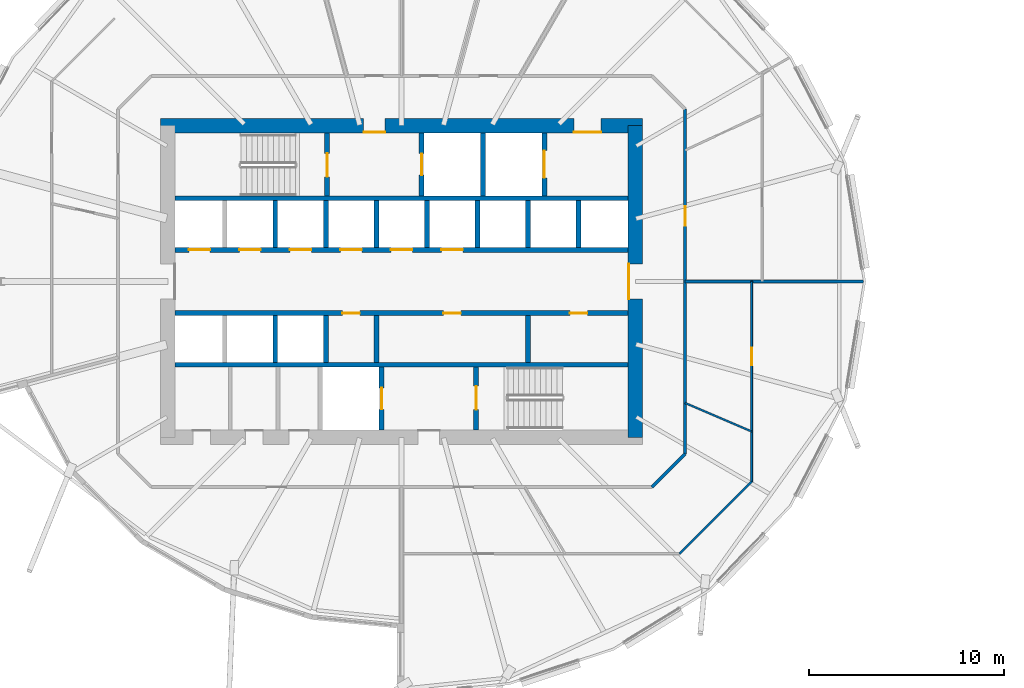
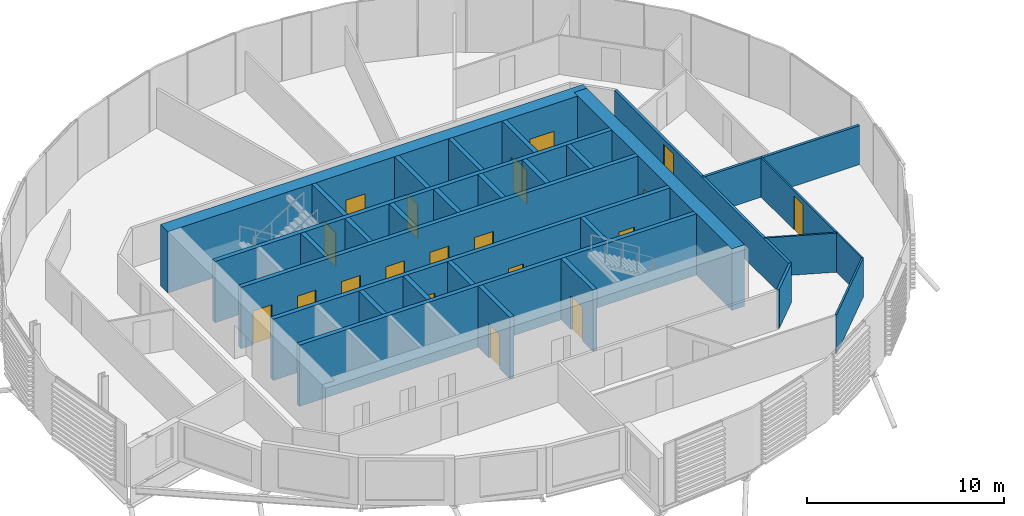
# One storey, part 22 of 40: 29 walls, 19 doors, 19 openings.
"""IFC4 building model written with IfcOpenShell, lengths in metres."""

import ifcopenshell
import ifcopenshell.guid

model = None  # the IFC model being written
_history = None  # IfcOwnerHistory: only IFC2X3 demands one
_inside = {}  # id of a spatial element -> (the spatial element, [elements in it])
_under = {}  # id of a project, library or spatial element -> (it, [spatial elements below it])
_declared = {}  # id of a project -> (the project, [libraries it declares])
_typed = {}  # id of a type object -> (the type object, [elements of that type])
_made_of = {}  # id of a material, layer set ... -> (it, [elements and type objects made of it])


def new_model(schema):
    """Start an empty IFC model of exactly this schema.

    Asked for "IFC4X3", IfcOpenShell would pick the latest addendum, in which some entities
    have other attributes; the version numbers below select the first issue.
    IFC2X3 requires an IfcOwnerHistory on every rooted entity: one is made here for all.
    """
    global model, _history
    if schema == "IFC4X3":
        model = ifcopenshell.file(schema_version=(4, 3, 0, 0))
    else:
        model = ifcopenshell.file(schema=schema)
    _inside.clear()
    _under.clear()
    _declared.clear()
    _typed.clear()
    _made_of.clear()
    _history = None
    if model.schema == "IFC2X3":
        org = make("IfcOrganization", Name="unknown")
        user = make(
            "IfcPersonAndOrganization",
            ThePerson=make("IfcPerson", FamilyName="unknown"),
            TheOrganization=org,
        )
        app = make(
            "IfcApplication",
            ApplicationDeveloper=org,
            Version="unknown",
            ApplicationFullName="unknown",
            ApplicationIdentifier="unknown",
        )
        _history = make(
            "IfcOwnerHistory",
            OwningUser=user,
            OwningApplication=app,
            ChangeAction="ADDED",
            CreationDate=0,
        )
    return model


def make(cls, **values):
    """One entity of the class cls with the attributes given. An attribute that is None is left unset."""
    return model.create_entity(
        cls, **{name: value for name, value in values.items() if value is not None}
    )


def rooted(cls, **values):
    """An entity with a GlobalId (a new one), such as an element, a storey or a relation."""
    return make(cls, GlobalId=ifcopenshell.guid.new(), OwnerHistory=_history, **values)


def si_unit(unit_type, name, prefix=None):
    """IfcSIUnit, for example si_unit("LENGTHUNIT", "METRE", prefix="MILLI")."""
    return make("IfcSIUnit", UnitType=unit_type, Prefix=prefix, Name=name)


def assignment(units):
    """IfcUnitAssignment: the units of a project."""
    return None if units is None else make("IfcUnitAssignment", Units=units)


def point(xyz):
    """IfcCartesianPoint."""
    return None if xyz is None else make("IfcCartesianPoint", Coordinates=xyz)


def direction(xyz):
    """IfcDirection."""
    return None if xyz is None else make("IfcDirection", DirectionRatios=xyz)


def frame(location, z_axis=None, x_axis=None):
    """IfcAxis2Placement3D, a coordinate frame: its origin and axes. An axis left out is left unset."""
    return make(
        "IfcAxis2Placement3D",
        Location=point(location),
        Axis=direction(z_axis),
        RefDirection=direction(x_axis),
    )


def frame_2d(location, x_axis=None):
    """IfcAxis2Placement2D, a coordinate frame in the plane: its origin and x axis."""
    return make(
        "IfcAxis2Placement2D", Location=point(location), RefDirection=direction(x_axis)
    )


def origin():
    """The frame at (0, 0, 0) with its axes left unset."""
    return frame((0.0, 0.0, 0.0))


def place(relative_to, where):
    """IfcLocalPlacement: puts the frame where relative to a parent placement (None: the world)."""
    return make(
        "IfcLocalPlacement", PlacementRelTo=relative_to, RelativePlacement=where
    )


def context(
    kind, dimensions, precision=None, world=None, true_north=None, identifier=None
):
    """IfcGeometricRepresentationContext, for example the 3D "Model" context."""
    return make(
        "IfcGeometricRepresentationContext",
        ContextIdentifier=identifier,
        ContextType=kind,
        CoordinateSpaceDimension=dimensions,
        Precision=precision,
        WorldCoordinateSystem=world,
        TrueNorth=true_north,
    )


def subcontext(parent, identifier, kind, view, scale=None):
    """IfcGeometricRepresentationSubContext, for example "Body" below "Model"."""
    return make(
        "IfcGeometricRepresentationSubContext",
        ContextIdentifier=identifier,
        ContextType=kind,
        ParentContext=parent,
        TargetScale=scale,
        TargetView=view,
    )


def project(units=None, contexts=None):
    """IfcProject with its units and contexts."""
    return rooted(
        "IfcProject",
        Name="project",
        RepresentationContexts=contexts,
        UnitsInContext=assignment(units),
    )


def spatial(cls, under=None, at=None, **own):
    """A site, building, storey or space (cls), placed at a placement, below another one or the project."""
    s = rooted(cls, ObjectPlacement=at, **own)
    if under is not None:
        _under.setdefault(under.id(), (under, []))[1].append(s)
    return s


def profile(cls, at=None, kind="AREA", **sizes):
    """A parametric profile (cls). Its sizes go by their IFC names, for example OverallWidth=200.0."""
    return make(cls, ProfileType=kind, Position=at, **sizes)


def rectangle(**sizes):
    """IfcRectangleProfileDef."""
    return profile("IfcRectangleProfileDef", **sizes)


def extrude(swept, where, along, depth):
    """IfcExtrudedAreaSolid: the profile swept, set in the frame where, extruded along a direction by depth."""
    return make(
        "IfcExtrudedAreaSolid",
        SweptArea=swept,
        Position=where,
        ExtrudedDirection=direction(along),
        Depth=depth,
    )


def shape(context_of_items, identifier, shape_type, items):
    """IfcShapeRepresentation: the items that make up one representation, for example the "Body"."""
    return make(
        "IfcShapeRepresentation",
        ContextOfItems=context_of_items,
        RepresentationIdentifier=identifier,
        RepresentationType=shape_type,
        Items=items,
    )


def material(Name=None, Category=None):
    """IfcMaterial."""
    return make("IfcMaterial", Name=Name, Category=Category)


def layer(
    of_material, thickness, ventilated=None, Name=None, Category=None, Priority=None
):
    """IfcMaterialLayer: one layer of a wall or slab, of a material (None: an air gap)."""
    return make(
        "IfcMaterialLayer",
        Material=of_material,
        LayerThickness=thickness,
        IsVentilated=ventilated,
        Name=Name,
        Category=Category,
        Priority=Priority,
    )


def layer_set(layers, Name=None):
    """IfcMaterialLayerSet."""
    return make("IfcMaterialLayerSet", MaterialLayers=layers, LayerSetName=Name)


def made_of(thing, what):
    """Note that an element or type object is made of a material, layer set ...; save() writes the relation."""
    if what is not None:
        _made_of.setdefault(what.id(), (what, []))[1].append(thing)
    return thing


def type_object(cls, material=None, **own):
    """A type object (cls), such as IfcWallType, which elements share."""
    return made_of(rooted(cls, **own), material)


def element(
    cls,
    number,
    at=None,
    inside=None,
    cuts=None,
    type_object=None,
    material=None,
    context=None,
    identifier="Body",
    shape_type=None,
    held_by="IfcProductDefinitionShape",
    body=None,
    shapes=None,
    **own,
):
    """One element of the class cls, such as IfcWall. Its Tag is "e" and its number.

    at: its placement. inside: the storey or other place that contains it. cuts: it is an
    opening in that element (IfcRelVoidsElement). A single representation is given by context,
    identifier, shape_type and body (its items); several are given by shapes. held_by: the class
    of the entity that holds the representations. save() writes the other relations.
    """
    e = rooted(cls, Tag="e%d" % number, ObjectPlacement=at, **own)
    if body is not None:
        shapes = [shape(context, identifier, shape_type, body)]
    if shapes is not None:
        e.Representation = make(held_by, Representations=shapes)
    if inside is not None:
        _inside.setdefault(inside.id(), (inside, []))[1].append(e)
    if cuts is not None:
        rooted(
            "IfcRelVoidsElement", RelatingBuildingElement=cuts, RelatedOpeningElement=e
        )
    if type_object is not None:
        _typed.setdefault(type_object.id(), (type_object, []))[1].append(e)
    return made_of(e, material)


def fill(opening, filler):
    """IfcRelFillsElement: the door or window that sits in an opening."""
    return rooted(
        "IfcRelFillsElement",
        RelatingOpeningElement=opening,
        RelatedBuildingElement=filler,
    )


def aggregate(whole, parts):
    """IfcRelAggregates: a whole, such as a stair, and the parts it consists of."""
    return rooted("IfcRelAggregates", RelatingObject=whole, RelatedObjects=parts)


def save(model, path):
    """Write the relations noted so far, then the file.

    IfcRelAggregates (storeys below a building ...), IfcRelContainedInSpatialStructure (elements
    in a storey), IfcRelDefinesByType, IfcRelAssociatesMaterial and IfcRelDeclares: one each for
    every whole, place, type object, material and project.
    """
    for whole, parts in _under.values():
        aggregate(whole, parts)
    for where, things in _inside.values():
        rooted(
            "IfcRelContainedInSpatialStructure",
            RelatedElements=things,
            RelatingStructure=where,
        )
    for kind, things in _typed.values():
        rooted("IfcRelDefinesByType", RelatedObjects=things, RelatingType=kind)
    for what, things in _made_of.values():
        rooted("IfcRelAssociatesMaterial", RelatedObjects=things, RelatingMaterial=what)
    for by, libraries in _declared.values():
        rooted("IfcRelDeclares", RelatingContext=by, RelatedDefinitions=libraries)
    model.write(path)


model = new_model("IFC4")

# Units and contexts
model_context = context("Model", 3, precision=1e-05, world=origin(), true_north=direction((0.0, 1.0)))
body_context = subcontext(model_context, "Body", "Model", "MODEL_VIEW")
ifc_project = project(units=[si_unit("LENGTHUNIT", "METRE"), si_unit("AREAUNIT", "SQUARE_METRE"), si_unit("VOLUMEUNIT", "CUBIC_METRE"), si_unit("PLANEANGLEUNIT", "RADIAN"), si_unit("MASSUNIT", "GRAM", prefix="KILO")], contexts=[model_context])

# Site, building, storey
site_placement = place(None, origin())
site = spatial("IfcSite", under=ifc_project, at=site_placement, CompositionType="ELEMENT")
building_placement = place(site_placement, origin())
building = spatial("IfcBuilding", under=site, at=building_placement, Name="Rimbun Link Towers", CompositionType="ELEMENT")
storey_placement = place(building_placement, frame((0.0, 0.0, 89.199951171875)))
storey = spatial("IfcBuildingStorey", under=building, at=storey_placement, Name="L21", CompositionType="ELEMENT", Elevation=89.199951171875)

# Wall, openings, doors
ifc_material_1 = material(Name="Concrete C60/75", Category="concrete")
ifc_layer_1 = layer(ifc_material_1, 0.75)
ifc_layer_set_1 = layer_set([ifc_layer_1], Name="Core shear wall 750")
wall_type_1 = type_object("IfcWallType", Name="Core shear wall 750", PredefinedType="SHEAR", material=ifc_layer_set_1)
wall_1_placement = place(storey_placement, frame((-44.125, 8.0, 0.0), z_axis=(0.0, 0.0, 1.0), x_axis=(1.0, 0.0, 0.0)))
wall_1 = element("IfcWall", 1, at=wall_1_placement, inside=storey, type_object=wall_type_1, Name="L21 T1 core wall N", PredefinedType="SHEAR", context=body_context, shape_type="SweptSolid", body=[
    extrude(rectangle(XDim=24.75, YDim=0.75, at=frame_2d((12.375, 0.0))), origin(), (0.0, 0.0, 1.0), 3.800048828125),
])
opening_1_placement = place(wall_1_placement, frame((10.425048828125, 0.0, 0.0)))
opening_1 = element("IfcOpeningElement", 2, at=opening_1_placement, cuts=wall_1, Name="Opening C1DCF01N", PredefinedType="OPENING", context=body_context, shape_type="SweptSolid", body=[
    extrude(rectangle(XDim=1.10009765625, YDim=2.10009765625, at=frame_2d((0.550048828125, 1.050048828125))), frame((0.0, 0.385009765625, 0.0), z_axis=(0.0, -1.0, 0.0), x_axis=(1.0, 0.0, 0.0)), (0.0, 0.0, 1.0), 0.77001953125),
])
opening_2_placement = place(wall_1_placement, frame((21.21240234375, 0.0, 0.0)))
opening_2 = element("IfcOpeningElement", 3, at=opening_2_placement, cuts=wall_1, Name="Opening C1DSL02N", PredefinedType="OPENING", context=body_context, shape_type="SweptSolid", body=[
    extrude(rectangle(XDim=1.39990234375, YDim=2.10009765625, at=frame_2d((0.699951171875, 1.050048828125))), frame((0.0, 0.385009765625, 0.0), z_axis=(0.0, -1.0, 0.0), x_axis=(1.0, 0.0, 0.0)), (0.0, 0.0, 1.0), 0.77001953125),
])
ifc_material_2 = material(Name="Steel fire door set", Category="steel")
door_type_1 = type_object("IfcDoorType", Name="Core fire door single", OperationType="SINGLE_SWING_LEFT", PredefinedType="DOOR", material=ifc_material_2)
door_1_placement = place(opening_1_placement, origin())
door_1 = element("IfcDoor", 4, at=door_1_placement, inside=storey, type_object=door_type_1, Name="L21 T1 firefighting lobby n door", OperationType="SINGLE_SWING_LEFT", OverallHeight=2.10009765625, OverallWidth=1.10009765625, PredefinedType="DOOR", context=body_context, shape_type="SweptSolid", body=[
    extrude(rectangle(XDim=1.10009765625, YDim=2.10009765625, at=frame_2d((0.550048828125, 1.050048828125))), frame((0.0, -0.3251953125, 0.0), z_axis=(0.0, -1.0, 0.0), x_axis=(1.0, 0.0, 0.0)), (0.0, 0.0, 1.0), 0.050048828125),
])
fill(opening_1, door_1)
ifc_material_3 = material(Name="Steel fire door set", Category="steel")
door_type_2 = type_object("IfcDoorType", Name="Service lobby door double", OperationType="DOUBLE_DOOR_SINGLE_SWING", PredefinedType="DOOR", material=ifc_material_3)
door_2_placement = place(opening_2_placement, origin())
door_2 = element("IfcDoor", 5, at=door_2_placement, inside=storey, type_object=door_type_2, Name="L21 T1 service lobby door", OperationType="DOUBLE_DOOR_SINGLE_SWING", OverallHeight=2.10009765625, OverallWidth=1.39990234375, PredefinedType="DOOR", context=body_context, shape_type="SweptSolid", body=[
    extrude(rectangle(XDim=1.39990234375, YDim=2.10009765625, at=frame_2d((0.699951171875, 1.050048828125))), frame((0.0, -0.3251953125, 0.0), z_axis=(0.0, -1.0, 0.0), x_axis=(1.0, 0.0, 0.0)), (0.0, 0.0, 1.0), 0.050048828125),
])
fill(opening_2, door_2)

# Wall, opening, door
wall_2_placement = place(storey_placement, frame((-19.75, -8.0, 0.0), z_axis=(0.0, 0.0, 1.0), x_axis=(0.0, 1.0, 0.0)))
wall_2 = element("IfcWall", 6, at=wall_2_placement, inside=storey, type_object=wall_type_1, Name="L21 T1 core wall E", PredefinedType="SHEAR", context=body_context, shape_type="SweptSolid", body=[
    extrude(rectangle(XDim=16.0, YDim=0.75, at=frame_2d((8.0, 0.0))), origin(), (0.0, 0.0, 1.0), 3.800048828125),
])
opening_3_placement = place(wall_2_placement, frame((7.10009765625, 0.0, 0.0)))
opening_3 = element("IfcOpeningElement", 7, at=opening_3_placement, cuts=wall_2, Name="Opening C1DCL01E", PredefinedType="OPENING", context=body_context, shape_type="SweptSolid", body=[
    extrude(rectangle(XDim=1.800048828125, YDim=2.10009765625, at=frame_2d((0.89990234375, 1.050048828125))), frame((0.0, 0.385009765625, 0.0), z_axis=(0.0, -1.0, 0.0), x_axis=(1.0, 0.0, 0.0)), (0.0, 0.0, 1.0), 0.77001953125),
])
ifc_material_4 = material(Name="Steel fire door set", Category="steel")
door_type_3 = type_object("IfcDoorType", Name="Core lobby door double", OperationType="DOUBLE_DOOR_SINGLE_SWING", PredefinedType="DOOR", material=ifc_material_4)
door_3_placement = place(opening_3_placement, origin())
door_3 = element("IfcDoor", 8, at=door_3_placement, inside=storey, type_object=door_type_3, Name="L21 T1 lift lobby door", OperationType="DOUBLE_DOOR_SINGLE_SWING", OverallHeight=2.10009765625, OverallWidth=1.800048828125, PredefinedType="DOOR", context=body_context, shape_type="SweptSolid", body=[
    extrude(rectangle(XDim=1.800048828125, YDim=2.10009765625, at=frame_2d((0.89990234375, 1.050048828125))), frame((0.0, 0.375, 0.0), z_axis=(0.0, -1.0, 0.0), x_axis=(1.0, 0.0, 0.0)), (0.0, 0.0, 1.0), 0.050048828125),
])
fill(opening_3, door_3)

ifc_material_5 = material(Name="Plasterboard on steel stud, mineral wool", Category="steel")
ifc_layer_2 = layer(ifc_material_5, 0.14990234375)
ifc_layer_set_2 = layer_set([ifc_layer_2], Name="Corridor wall EI 30 150 mm")
wall_type_2 = type_object("IfcWallType", Name="Corridor wall EI 30 150 mm", PredefinedType="PARTITIONING", material=ifc_layer_set_2)
wall_3_placement = place(storey_placement, frame((-17.199951171875, 8.851806640625, 0.0), z_axis=(0.0, 0.0, 1.0), x_axis=(0.0, -1.0, 0.0)))
wall_3 = element("IfcWall", 9, at=wall_3_placement, inside=storey, type_object=wall_type_2, Name="Corridor wall EI 30 150 mm", PredefinedType="PARTITIONING", context=body_context, shape_type="SweptSolid", body=[
    extrude(rectangle(XDim=17.70361328125, YDim=0.14990234375, at=frame_2d((8.851806640625, 0.0))), origin(), (0.0, 0.0, 1.0), 2.420166015625),
])
opening_4_placement = place(wall_3_placement, frame((4.982666015625, 0.0, 0.0)))
opening_4 = element("IfcOpeningElement", 10, at=opening_4_placement, cuts=wall_3, Name="Opening D01", PredefinedType="OPENING", context=body_context, shape_type="SweptSolid", body=[
    extrude(rectangle(XDim=1.0, YDim=2.10009765625, at=frame_2d((0.5, 1.050048828125))), frame((0.0, 0.0849609375, 0.0), z_axis=(0.0, -1.0, 0.0), x_axis=(1.0, 0.0, 0.0)), (0.0, 0.0, 1.0), 0.169921875),
])
ifc_material_6 = material(Name="Fire-resisting timber door leaf", Category="wood")
door_type_4 = type_object("IfcDoorType", Name="Fire door FD30S 1000", OperationType="NOTDEFINED", PredefinedType="DOOR", material=ifc_material_6)
door_4_placement = place(opening_4_placement, origin())
door_4 = element("IfcDoor", 11, at=door_4_placement, inside=storey, type_object=door_type_4, Name="Fire door FD30S 1000 to Reception", OperationType="SINGLE_SWING_RIGHT", OverallHeight=2.10009765625, OverallWidth=1.0, PredefinedType="DOOR", context=body_context, shape_type="SweptSolid", body=[
    extrude(rectangle(XDim=1.0, YDim=2.10009765625, at=frame_2d((0.5, 1.050048828125))), frame((0.0, 0.02490234375, 0.0), z_axis=(0.0, -1.0, 0.0), x_axis=(1.0, 0.0, 0.0)), (0.0, 0.0, 1.0), 0.050048828125),
])
fill(opening_4, door_4)

# Walls
wall_4_placement = place(storey_placement, frame((-18.898193359375, -10.550048828125, 0.0), z_axis=(0.0, 0.0, 1.0), x_axis=(0.707106781187, 0.707106781187, 0.0)))
element("IfcWall", 12, at=wall_4_placement, inside=storey, type_object=wall_type_2, Name="Corridor wall EI 30 150 mm", PredefinedType="PARTITIONING", context=body_context, shape_type="SweptSolid", body=[
    extrude(rectangle(XDim=2.401611328125, YDim=0.14990234375, at=frame_2d((1.20068359375, 0.0))), origin(), (0.0, 0.0, 1.0), 2.420166015625),
])
ifc_material_7 = material(Name="Plasterboard on steel stud", Category="steel")
ifc_layer_3 = layer(ifc_material_7, 0.10009765625)
ifc_layer_set_3 = layer_set([ifc_layer_3], Name="Plasterboard partition 100 mm")
wall_type_3 = type_object("IfcWallType", Name="Plasterboard partition 100 mm", PredefinedType="PARTITIONING", material=ifc_layer_set_3)
wall_5_placement = place(storey_placement, frame((-13.780029296875, -7.701904296875, 0.0), z_axis=(0.0, 0.0, 1.0), x_axis=(-0.919131454006, 0.393950974433, 0.0)))
element("IfcWall", 13, at=wall_5_placement, inside=storey, type_object=wall_type_3, Name="Plasterboard partition 100 mm", PredefinedType="PARTITIONING", context=body_context, shape_type="SweptSolid", body=[
    extrude(rectangle(XDim=3.720703125, YDim=0.10009765625, at=frame_2d((1.8603515625, 0.0))), origin(), (0.0, 0.0, 1.0), 2.420166015625),
])
wall_6_placement = place(storey_placement, frame((-17.481689453125, -13.969970703125, 0.0), z_axis=(0.0, 0.0, 1.0), x_axis=(0.707106781187, 0.707106781187, 0.0)))
element("IfcWall", 14, at=wall_6_placement, inside=storey, type_object=wall_type_3, Name="Plasterboard partition 100 mm", PredefinedType="PARTITIONING", context=body_context, shape_type="SweptSolid", body=[
    extrude(rectangle(XDim=5.23486328125, YDim=0.10009765625, at=frame_2d((2.617431640625, 0.0))), origin(), (0.0, 0.0, 1.0), 2.420166015625),
])

# Wall, opening, door
wall_7_placement = place(storey_placement, frame((-13.780029296875, -10.268310546875, 0.0), z_axis=(0.0, 0.0, 1.0), x_axis=(0.0, 1.0, 0.0)))
wall_7 = element("IfcWall", 15, at=wall_7_placement, inside=storey, type_object=wall_type_3, Name="Plasterboard partition 100 mm", PredefinedType="PARTITIONING", context=body_context, shape_type="SweptSolid", body=[
    extrude(rectangle(XDim=10.268310546875, YDim=0.10009765625, at=frame_2d((5.13427734375, 0.0))), origin(), (0.0, 0.0, 1.0), 2.420166015625),
])
opening_5_placement = place(wall_7_placement, frame((5.96728515625, 0.0, 0.0)))
opening_5 = element("IfcOpeningElement", 16, at=opening_5_placement, cuts=wall_7, Name="Opening D04", PredefinedType="OPENING", context=body_context, shape_type="SweptSolid", body=[
    extrude(rectangle(XDim=0.89990234375, YDim=2.10009765625, at=frame_2d((0.449951171875, 1.050048828125))), frame((0.0, 0.06005859375, 0.0), z_axis=(0.0, -1.0, 0.0), x_axis=(1.0, 0.0, 0.0)), (0.0, 0.0, 1.0), 0.1201171875),
])
ifc_material_8 = material(Name="Timber door leaf", Category="wood")
door_type_5 = type_object("IfcDoorType", Name="Flush door 900", OperationType="NOTDEFINED", PredefinedType="DOOR", material=ifc_material_8)
door_5_placement = place(opening_5_placement, origin())
door_5 = element("IfcDoor", 17, at=door_5_placement, inside=storey, type_object=door_type_5, Name="Flush door 900 to Print room", OperationType="SINGLE_SWING_RIGHT", OverallHeight=2.10009765625, OverallWidth=0.89990234375, PredefinedType="DOOR", context=body_context, shape_type="SweptSolid", body=[
    extrude(rectangle(XDim=0.89990234375, YDim=2.10009765625, at=frame_2d((0.449951171875, 1.050048828125))), frame((0.0, 0.02490234375, 0.0), z_axis=(0.0, -1.0, 0.0), x_axis=(1.0, 0.0, 0.0)), (0.0, 0.0, 1.0), 0.050048828125),
])
fill(opening_5, door_5)

# Walls
ifc_material_9 = material(Name="Concrete C60/75", Category="concrete")
ifc_layer_4 = layer(ifc_material_9, 0.25)
ifc_layer_set_4 = layer_set([ifc_layer_4], Name="Shaft wall 250")
wall_type_4 = type_object("IfcWallType", Name="Shaft wall 250", PredefinedType="SHEAR", material=ifc_layer_set_4)
for number, where, z_axis, x_axis, name in (
    (18, (-43.375, 4.27490234375, 0.0), (0.0, 0.0, 1.0), (1.0, 0.0, 0.0), "L21 T1 core wall BN"),
    (19, (-43.375, -4.27490234375, 0.0), (0.0, 0.0, 1.0), (1.0, 0.0, 0.0), "L21 T1 core wall BS"),
):
    element("IfcWall", number, at=place(storey_placement, frame(where, z_axis=z_axis, x_axis=x_axis)), inside=storey, type_object=wall_type_4, Name=name, PredefinedType="SHEAR", context=body_context, shape_type="SweptSolid", body=[
        extrude(rectangle(XDim=23.25, YDim=0.25, at=frame_2d((11.625, 0.0))), origin(), (0.0, 0.0, 1.0), 3.800048828125),
    ])

# Wall, openings, doors
wall_8_placement = place(storey_placement, frame((-43.375, 1.625, 0.0), z_axis=(0.0, 0.0, 1.0), x_axis=(1.0, 0.0, 0.0)))
wall_8 = element("IfcWall", 20, at=wall_8_placement, inside=storey, type_object=wall_type_4, Name="L21 T1 core wall FN", PredefinedType="SHEAR", context=body_context, shape_type="SweptSolid", body=[
    extrude(rectangle(XDim=23.25, YDim=0.25, at=frame_2d((11.625, 0.0))), origin(), (0.0, 0.0, 1.0), 3.800048828125),
])
opening_6_placement = place(wall_8_placement, frame((0.697265625, 0.0, 0.0)))
opening_6 = element("IfcOpeningElement", 21, at=opening_6_placement, cuts=wall_8, Name="Opening LD-T1-LR1", PredefinedType="OPENING", context=body_context, shape_type="SweptSolid", body=[
    extrude(rectangle(XDim=1.10009765625, YDim=2.10009765625, at=frame_2d((0.550048828125, 1.050048828125))), frame((0.0, 0.135009765625, 0.0), z_axis=(0.0, -1.0, 0.0), x_axis=(1.0, 0.0, 0.0)), (0.0, 0.0, 1.0), 0.27001953125),
])
opening_7_placement = place(wall_8_placement, frame((3.291748046875, 0.0, 0.0)))
opening_7 = element("IfcOpeningElement", 22, at=opening_7_placement, cuts=wall_8, Name="Opening LD-T1-LR2", PredefinedType="OPENING", context=body_context, shape_type="SweptSolid", body=[
    extrude(rectangle(XDim=1.10009765625, YDim=2.10009765625, at=frame_2d((0.550048828125, 1.050048828125))), frame((0.0, 0.135009765625, 0.0), z_axis=(0.0, -1.0, 0.0), x_axis=(1.0, 0.0, 0.0)), (0.0, 0.0, 1.0), 0.27001953125),
])
opening_8_placement = place(wall_8_placement, frame((5.885986328125, 0.0, 0.0)))
opening_8 = element("IfcOpeningElement", 23, at=opening_8_placement, cuts=wall_8, Name="Opening LD-T1-LR3", PredefinedType="OPENING", context=body_context, shape_type="SweptSolid", body=[
    extrude(rectangle(XDim=1.10009765625, YDim=2.10009765625, at=frame_2d((0.550048828125, 1.050048828125))), frame((0.0, 0.135009765625, 0.0), z_axis=(0.0, -1.0, 0.0), x_axis=(1.0, 0.0, 0.0)), (0.0, 0.0, 1.0), 0.27001953125),
])
opening_9_placement = place(wall_8_placement, frame((8.480712890625, 0.0, 0.0)))
opening_9 = element("IfcOpeningElement", 24, at=opening_9_placement, cuts=wall_8, Name="Opening LD-T1-LR4", PredefinedType="OPENING", context=body_context, shape_type="SweptSolid", body=[
    extrude(rectangle(XDim=1.10009765625, YDim=2.10009765625, at=frame_2d((0.550048828125, 1.050048828125))), frame((0.0, 0.135009765625, 0.0), z_axis=(0.0, -1.0, 0.0), x_axis=(1.0, 0.0, 0.0)), (0.0, 0.0, 1.0), 0.27001953125),
])
opening_10_placement = place(wall_8_placement, frame((11.074951171875, 0.0, 0.0)))
opening_10 = element("IfcOpeningElement", 25, at=opening_10_placement, cuts=wall_8, Name="Opening LD-T1-LR5", PredefinedType="OPENING", context=body_context, shape_type="SweptSolid", body=[
    extrude(rectangle(XDim=1.10009765625, YDim=2.10009765625, at=frame_2d((0.550048828125, 1.050048828125))), frame((0.0, 0.135009765625, 0.0), z_axis=(0.0, -1.0, 0.0), x_axis=(1.0, 0.0, 0.0)), (0.0, 0.0, 1.0), 0.27001953125),
])
opening_11_placement = place(wall_8_placement, frame((13.66943359375, 0.0, 0.0)))
opening_11 = element("IfcOpeningElement", 26, at=opening_11_placement, cuts=wall_8, Name="Opening LD-T1-LR6", PredefinedType="OPENING", context=body_context, shape_type="SweptSolid", body=[
    extrude(rectangle(XDim=1.10009765625, YDim=2.10009765625, at=frame_2d((0.550048828125, 1.050048828125))), frame((0.0, 0.135009765625, 0.0), z_axis=(0.0, -1.0, 0.0), x_axis=(1.0, 0.0, 0.0)), (0.0, 0.0, 1.0), 0.27001953125),
])
ifc_material_10 = material(Name="Stainless steel grade 316", Category="steel")
door_type_6 = type_object("IfcDoorType", Name="Lift landing door", OperationType="DOUBLE_DOOR_SLIDING", PredefinedType="DOOR", material=ifc_material_10)
door_6_placement = place(opening_6_placement, origin())
door_6 = element("IfcDoor", 27, at=door_6_placement, inside=storey, type_object=door_type_6, Name="L21 T1 lift LR1 landing door", OperationType="DOUBLE_DOOR_SLIDING", OverallHeight=2.10009765625, OverallWidth=1.10009765625, PredefinedType="DOOR", context=body_context, shape_type="SweptSolid", body=[
    extrude(rectangle(XDim=1.10009765625, YDim=2.10009765625, at=frame_2d((0.550048828125, 1.050048828125))), frame((0.0, 0.02490234375, 0.0), z_axis=(0.0, -1.0, 0.0), x_axis=(1.0, 0.0, 0.0)), (0.0, 0.0, 1.0), 0.050048828125),
])
fill(opening_6, door_6)
door_7_placement = place(opening_7_placement, origin())
door_7 = element("IfcDoor", 28, at=door_7_placement, inside=storey, type_object=door_type_6, Name="L21 T1 lift LR2 landing door", OperationType="DOUBLE_DOOR_SLIDING", OverallHeight=2.10009765625, OverallWidth=1.10009765625, PredefinedType="DOOR", context=body_context, shape_type="SweptSolid", body=[
    extrude(rectangle(XDim=1.10009765625, YDim=2.10009765625, at=frame_2d((0.550048828125, 1.050048828125))), frame((0.0, 0.02490234375, 0.0), z_axis=(0.0, -1.0, 0.0), x_axis=(1.0, 0.0, 0.0)), (0.0, 0.0, 1.0), 0.050048828125),
])
fill(opening_7, door_7)
door_8_placement = place(opening_8_placement, origin())
door_8 = element("IfcDoor", 29, at=door_8_placement, inside=storey, type_object=door_type_6, Name="L21 T1 lift LR3 landing door", OperationType="DOUBLE_DOOR_SLIDING", OverallHeight=2.10009765625, OverallWidth=1.10009765625, PredefinedType="DOOR", context=body_context, shape_type="SweptSolid", body=[
    extrude(rectangle(XDim=1.10009765625, YDim=2.10009765625, at=frame_2d((0.550048828125, 1.050048828125))), frame((0.0, 0.02490234375, 0.0), z_axis=(0.0, -1.0, 0.0), x_axis=(1.0, 0.0, 0.0)), (0.0, 0.0, 1.0), 0.050048828125),
])
fill(opening_8, door_8)
door_9_placement = place(opening_9_placement, origin())
door_9 = element("IfcDoor", 30, at=door_9_placement, inside=storey, type_object=door_type_6, Name="L21 T1 lift LR4 landing door", OperationType="DOUBLE_DOOR_SLIDING", OverallHeight=2.10009765625, OverallWidth=1.10009765625, PredefinedType="DOOR", context=body_context, shape_type="SweptSolid", body=[
    extrude(rectangle(XDim=1.10009765625, YDim=2.10009765625, at=frame_2d((0.550048828125, 1.050048828125))), frame((0.0, 0.02490234375, 0.0), z_axis=(0.0, -1.0, 0.0), x_axis=(1.0, 0.0, 0.0)), (0.0, 0.0, 1.0), 0.050048828125),
])
fill(opening_9, door_9)
door_10_placement = place(opening_10_placement, origin())
door_10 = element("IfcDoor", 31, at=door_10_placement, inside=storey, type_object=door_type_6, Name="L21 T1 lift LR5 landing door", OperationType="DOUBLE_DOOR_SLIDING", OverallHeight=2.10009765625, OverallWidth=1.10009765625, PredefinedType="DOOR", context=body_context, shape_type="SweptSolid", body=[
    extrude(rectangle(XDim=1.10009765625, YDim=2.10009765625, at=frame_2d((0.550048828125, 1.050048828125))), frame((0.0, 0.02490234375, 0.0), z_axis=(0.0, -1.0, 0.0), x_axis=(1.0, 0.0, 0.0)), (0.0, 0.0, 1.0), 0.050048828125),
])
fill(opening_10, door_10)
door_11_placement = place(opening_11_placement, origin())
door_11 = element("IfcDoor", 32, at=door_11_placement, inside=storey, type_object=door_type_6, Name="L21 T1 lift LR6 landing door", OperationType="DOUBLE_DOOR_SLIDING", OverallHeight=2.10009765625, OverallWidth=1.10009765625, PredefinedType="DOOR", context=body_context, shape_type="SweptSolid", body=[
    extrude(rectangle(XDim=1.10009765625, YDim=2.10009765625, at=frame_2d((0.550048828125, 1.050048828125))), frame((0.0, 0.02490234375, 0.0), z_axis=(0.0, -1.0, 0.0), x_axis=(1.0, 0.0, 0.0)), (0.0, 0.0, 1.0), 0.050048828125),
])
fill(opening_11, door_11)

wall_9_placement = place(storey_placement, frame((-43.375, -1.625, 0.0), z_axis=(0.0, 0.0, 1.0), x_axis=(1.0, 0.0, 0.0)))
wall_9 = element("IfcWall", 33, at=wall_9_placement, inside=storey, type_object=wall_type_4, Name="L21 T1 core wall FS", PredefinedType="SHEAR", context=body_context, shape_type="SweptSolid", body=[
    extrude(rectangle(XDim=23.25, YDim=0.25, at=frame_2d((11.625, 0.0))), origin(), (0.0, 0.0, 1.0), 3.800048828125),
])
opening_12_placement = place(wall_9_placement, frame((8.58056640625, 0.0, 0.0)))
opening_12 = element("IfcOpeningElement", 34, at=opening_12_placement, cuts=wall_9, Name="Opening C1DRS01FS", PredefinedType="OPENING", context=body_context, shape_type="SweptSolid", body=[
    extrude(rectangle(XDim=0.89990234375, YDim=2.10009765625, at=frame_2d((0.449951171875, 1.050048828125))), frame((0.0, 0.135009765625, 0.0), z_axis=(0.0, -1.0, 0.0), x_axis=(1.0, 0.0, 0.0)), (0.0, 0.0, 1.0), 0.27001953125),
])
opening_13_placement = place(wall_9_placement, frame((13.769287109375, 0.0, 0.0)))
opening_13 = element("IfcOpeningElement", 35, at=opening_13_placement, cuts=wall_9, Name="Opening C1DRS02FS", PredefinedType="OPENING", context=body_context, shape_type="SweptSolid", body=[
    extrude(rectangle(XDim=0.89990234375, YDim=2.10009765625, at=frame_2d((0.449951171875, 1.050048828125))), frame((0.0, 0.135009765625, 0.0), z_axis=(0.0, -1.0, 0.0), x_axis=(1.0, 0.0, 0.0)), (0.0, 0.0, 1.0), 0.27001953125),
])
opening_14_placement = place(wall_9_placement, frame((20.255615234375, 0.0, 0.0)))
opening_14 = element("IfcOpeningElement", 36, at=opening_14_placement, cuts=wall_9, Name="Opening C1DRS03FS", PredefinedType="OPENING", context=body_context, shape_type="SweptSolid", body=[
    extrude(rectangle(XDim=0.89990234375, YDim=2.10009765625, at=frame_2d((0.449951171875, 1.050048828125))), frame((0.0, 0.135009765625, 0.0), z_axis=(0.0, -1.0, 0.0), x_axis=(1.0, 0.0, 0.0)), (0.0, 0.0, 1.0), 0.27001953125),
])
ifc_material_11 = material(Name="Steel fire door set", Category="steel")
door_type_7 = type_object("IfcDoorType", Name="Core riser door", OperationType="SINGLE_SWING_LEFT", PredefinedType="DOOR", material=ifc_material_11)
door_12_placement = place(opening_12_placement, origin())
door_12 = element("IfcDoor", 37, at=door_12_placement, inside=storey, type_object=door_type_7, Name="L21 T1 stationery store door", OperationType="SINGLE_SWING_LEFT", OverallHeight=2.10009765625, OverallWidth=0.89990234375, PredefinedType="DOOR", context=body_context, shape_type="SweptSolid", body=[
    extrude(rectangle(XDim=0.89990234375, YDim=2.10009765625, at=frame_2d((0.449951171875, 1.050048828125))), frame((0.0, 0.02490234375, 0.0), z_axis=(0.0, -1.0, 0.0), x_axis=(1.0, 0.0, 0.0)), (0.0, 0.0, 1.0), 0.050048828125),
])
fill(opening_12, door_12)
door_13_placement = place(opening_13_placement, origin())
door_13 = element("IfcDoor", 38, at=door_13_placement, inside=storey, type_object=door_type_7, Name="L21 T1 records store door", OperationType="SINGLE_SWING_LEFT", OverallHeight=2.10009765625, OverallWidth=0.89990234375, PredefinedType="DOOR", context=body_context, shape_type="SweptSolid", body=[
    extrude(rectangle(XDim=0.89990234375, YDim=2.10009765625, at=frame_2d((0.449951171875, 1.050048828125))), frame((0.0, 0.02490234375, 0.0), z_axis=(0.0, -1.0, 0.0), x_axis=(1.0, 0.0, 0.0)), (0.0, 0.0, 1.0), 0.050048828125),
])
fill(opening_13, door_13)
door_14_placement = place(opening_14_placement, origin())
door_14 = element("IfcDoor", 39, at=door_14_placement, inside=storey, type_object=door_type_7, Name="L21 T1 print room door", OperationType="SINGLE_SWING_LEFT", OverallHeight=2.10009765625, OverallWidth=0.89990234375, PredefinedType="DOOR", context=body_context, shape_type="SweptSolid", body=[
    extrude(rectangle(XDim=0.89990234375, YDim=2.10009765625, at=frame_2d((0.449951171875, 1.050048828125))), frame((0.0, 0.02490234375, 0.0), z_axis=(0.0, -1.0, 0.0), x_axis=(1.0, 0.0, 0.0)), (0.0, 0.0, 1.0), 0.050048828125),
])
fill(opening_14, door_14)

# Walls
for number, where, z_axis, x_axis, name in (
    (40, (-38.236083984375, 1.75, 0.0), (0.0, 0.0, 1.0), (0.0, 1.0, 0.0), "L21 T1 core wall DN1"),
    (41, (-35.6416015625, 1.75, 0.0), (0.0, 0.0, 1.0), (0.0, 1.0, 0.0), "L21 T1 core wall DN2"),
    (42, (-33.047119140625, 1.75, 0.0), (0.0, 0.0, 1.0), (0.0, 1.0, 0.0), "L21 T1 core wall DN3"),
    (43, (-30.452880859375, 1.75, 0.0), (0.0, 0.0, 1.0), (0.0, 1.0, 0.0), "L21 T1 core wall DN4"),
    (44, (-27.8583984375, 1.75, 0.0), (0.0, 0.0, 1.0), (0.0, 1.0, 0.0), "L21 T1 core wall DN5"),
    (45, (-25.263916015625, 1.75, 0.0), (0.0, 0.0, 1.0), (0.0, 1.0, 0.0), "L21 T1 core wall DN6"),
    (46, (-22.66943359375, 1.75, 0.0), (0.0, 0.0, 1.0), (0.0, 1.0, 0.0), "L21 T1 core wall DN7"),
    (47, (-38.236083984375, -4.14990234375, 0.0), (0.0, 0.0, 1.0), (0.0, 1.0, 0.0), "L21 T1 core wall DS1"),
    (48, (-35.6416015625, -4.14990234375, 0.0), (0.0, 0.0, 1.0), (0.0, 1.0, 0.0), "L21 T1 core wall DS2"),
    (49, (-33.047119140625, -4.14990234375, 0.0), (0.0, 0.0, 1.0), (0.0, 1.0, 0.0), "L21 T1 core wall DS3"),
    (50, (-25.263916015625, -4.14990234375, 0.0), (0.0, 0.0, 1.0), (0.0, 1.0, 0.0), "L21 T1 core wall DS6"),
):
    element("IfcWall", number, at=place(storey_placement, frame(where, z_axis=z_axis, x_axis=x_axis)), inside=storey, type_object=wall_type_4, Name=name, PredefinedType="SHEAR", context=body_context, shape_type="SweptSolid", body=[
        extrude(rectangle(XDim=2.39990234375, YDim=0.25, at=frame_2d((1.199951171875, 0.0))), origin(), (0.0, 0.0, 1.0), 3.800048828125),
    ])

# Wall, opening, door
wall_10_placement = place(storey_placement, frame((-35.574951171875, 4.39990234375, 0.0), z_axis=(0.0, 0.0, 1.0), x_axis=(0.0, 1.0, 0.0)))
wall_10 = element("IfcWall", 51, at=wall_10_placement, inside=storey, type_object=wall_type_4, Name="L21 T1 core wall A1", PredefinedType="SHEAR", context=body_context, shape_type="SweptSolid", body=[
    extrude(rectangle(XDim=3.22509765625, YDim=0.25, at=frame_2d((1.612548828125, 0.0))), origin(), (0.0, 0.0, 1.0), 3.800048828125),
])
opening_15_placement = place(wall_10_placement, frame((0.97509765625, 0.0, 0.0)))
opening_15 = element("IfcOpeningElement", 52, at=opening_15_placement, cuts=wall_10, Name="Opening C1DST01A1", PredefinedType="OPENING", context=body_context, shape_type="SweptSolid", body=[
    extrude(rectangle(XDim=1.199951171875, YDim=2.10009765625, at=frame_2d((0.60009765625, 1.050048828125))), frame((0.0, 0.135009765625, 0.0), z_axis=(0.0, -1.0, 0.0), x_axis=(1.0, 0.0, 0.0)), (0.0, 0.0, 1.0), 0.27001953125),
])
ifc_material_12 = material(Name="Steel fire door set", Category="steel")
door_type_8 = type_object("IfcDoorType", Name="Stair door", OperationType="SINGLE_SWING_LEFT", PredefinedType="DOOR", material=ifc_material_12)
door_15_placement = place(opening_15_placement, origin())
door_15 = element("IfcDoor", 53, at=door_15_placement, inside=storey, type_object=door_type_8, Name="L21 T1 stair a door", OperationType="SINGLE_SWING_RIGHT", OverallHeight=2.10009765625, OverallWidth=1.199951171875, PredefinedType="DOOR", context=body_context, shape_type="SweptSolid", body=[
    extrude(rectangle(XDim=1.199951171875, YDim=2.10009765625, at=frame_2d((0.60009765625, 1.050048828125))), frame((0.0, 0.02490234375, 0.0), z_axis=(0.0, -1.0, 0.0), x_axis=(1.0, 0.0, 0.0)), (0.0, 0.0, 1.0), 0.050048828125),
])
fill(opening_15, door_15)

wall_11_placement = place(storey_placement, frame((-30.72509765625, 4.39990234375, 0.0), z_axis=(0.0, 0.0, 1.0), x_axis=(0.0, 1.0, 0.0)))
wall_11 = element("IfcWall", 54, at=wall_11_placement, inside=storey, type_object=wall_type_4, Name="L21 T1 core wall A2", PredefinedType="SHEAR", context=body_context, shape_type="SweptSolid", body=[
    extrude(rectangle(XDim=3.22509765625, YDim=0.25, at=frame_2d((1.612548828125, 0.0))), origin(), (0.0, 0.0, 1.0), 3.800048828125),
])
opening_16_placement = place(wall_11_placement, frame((1.0625, 0.0, 0.0)))
opening_16 = element("IfcOpeningElement", 55, at=opening_16_placement, cuts=wall_11, Name="Opening LD-T1-FF1", PredefinedType="OPENING", context=body_context, shape_type="SweptSolid", body=[
    extrude(rectangle(XDim=1.10009765625, YDim=2.10009765625, at=frame_2d((0.550048828125, 1.050048828125))), frame((0.0, 0.135009765625, 0.0), z_axis=(0.0, -1.0, 0.0), x_axis=(1.0, 0.0, 0.0)), (0.0, 0.0, 1.0), 0.27001953125),
])
door_16_placement = place(opening_16_placement, origin())
door_16 = element("IfcDoor", 56, at=door_16_placement, inside=storey, type_object=door_type_6, Name="L21 T1 lift FF1 landing door", OperationType="DOUBLE_DOOR_SLIDING", OverallHeight=2.10009765625, OverallWidth=1.10009765625, PredefinedType="DOOR", context=body_context, shape_type="SweptSolid", body=[
    extrude(rectangle(XDim=1.10009765625, YDim=2.10009765625, at=frame_2d((0.550048828125, 1.050048828125))), frame((0.0, 0.02490234375, 0.0), z_axis=(0.0, -1.0, 0.0), x_axis=(1.0, 0.0, 0.0)), (0.0, 0.0, 1.0), 0.050048828125),
])
fill(opening_16, door_16)

# Wall
wall_12_placement = place(storey_placement, frame((-27.574951171875, 4.39990234375, 0.0), z_axis=(0.0, 0.0, 1.0), x_axis=(0.0, 1.0, 0.0)))
element("IfcWall", 57, at=wall_12_placement, inside=storey, type_object=wall_type_4, Name="L21 T1 core wall A3", PredefinedType="SHEAR", context=body_context, shape_type="SweptSolid", body=[
    extrude(rectangle(XDim=3.22509765625, YDim=0.25, at=frame_2d((1.612548828125, 0.0))), origin(), (0.0, 0.0, 1.0), 3.800048828125),
])

# Wall, opening, door
wall_13_placement = place(storey_placement, frame((-24.425048828125, 4.39990234375, 0.0), z_axis=(0.0, 0.0, 1.0), x_axis=(0.0, 1.0, 0.0)))
wall_13 = element("IfcWall", 58, at=wall_13_placement, inside=storey, type_object=wall_type_4, Name="L21 T1 core wall A4", PredefinedType="SHEAR", context=body_context, shape_type="SweptSolid", body=[
    extrude(rectangle(XDim=3.22509765625, YDim=0.25, at=frame_2d((1.612548828125, 0.0))), origin(), (0.0, 0.0, 1.0), 3.800048828125),
])
opening_17_placement = place(wall_13_placement, frame((0.91259765625, 0.0, 0.0)))
opening_17 = element("IfcOpeningElement", 59, at=opening_17_placement, cuts=wall_13, Name="Opening LD-T1-GL1", PredefinedType="OPENING", context=body_context, shape_type="SweptSolid", body=[
    extrude(rectangle(XDim=1.39990234375, YDim=2.10009765625, at=frame_2d((0.699951171875, 1.050048828125))), frame((0.0, 0.135009765625, 0.0), z_axis=(0.0, -1.0, 0.0), x_axis=(1.0, 0.0, 0.0)), (0.0, 0.0, 1.0), 0.27001953125),
])
ifc_material_13 = material(Name="Stainless steel grade 316", Category="steel")
door_type_9 = type_object("IfcDoorType", Name="Goods lift landing door", OperationType="DOUBLE_DOOR_SLIDING", PredefinedType="DOOR", material=ifc_material_13)
door_17_placement = place(opening_17_placement, origin())
door_17 = element("IfcDoor", 60, at=door_17_placement, inside=storey, type_object=door_type_9, Name="L21 T1 lift GL1 landing door", OperationType="DOUBLE_DOOR_SLIDING", OverallHeight=2.10009765625, OverallWidth=1.39990234375, PredefinedType="DOOR", context=body_context, shape_type="SweptSolid", body=[
    extrude(rectangle(XDim=1.39990234375, YDim=2.10009765625, at=frame_2d((0.699951171875, 1.050048828125))), frame((0.0, 0.02490234375, 0.0), z_axis=(0.0, -1.0, 0.0), x_axis=(1.0, 0.0, 0.0)), (0.0, 0.0, 1.0), 0.050048828125),
])
fill(opening_17, door_17)

wall_14_placement = place(storey_placement, frame((-27.925048828125, -4.39990234375, 0.0), z_axis=(0.0, 0.0, 1.0), x_axis=(0.0, -1.0, 0.0)))
wall_14 = element("IfcWall", 61, at=wall_14_placement, inside=storey, type_object=wall_type_4, Name="L21 T1 core wall B1", PredefinedType="SHEAR", context=body_context, shape_type="SweptSolid", body=[
    extrude(rectangle(XDim=3.22509765625, YDim=0.25, at=frame_2d((1.612548828125, 0.0))), origin(), (0.0, 0.0, 1.0), 3.800048828125),
])
opening_18_placement = place(wall_14_placement, frame((0.97509765625, 0.0, 0.0)))
opening_18 = element("IfcOpeningElement", 62, at=opening_18_placement, cuts=wall_14, Name="Opening C1DST01B1", PredefinedType="OPENING", context=body_context, shape_type="SweptSolid", body=[
    extrude(rectangle(XDim=1.199951171875, YDim=2.10009765625, at=frame_2d((0.60009765625, 1.050048828125))), frame((0.0, 0.135009765625, 0.0), z_axis=(0.0, -1.0, 0.0), x_axis=(1.0, 0.0, 0.0)), (0.0, 0.0, 1.0), 0.27001953125),
])
door_18_placement = place(opening_18_placement, origin())
door_18 = element("IfcDoor", 63, at=door_18_placement, inside=storey, type_object=door_type_8, Name="L21 T1 stair b door", OperationType="SINGLE_SWING_RIGHT", OverallHeight=2.10009765625, OverallWidth=1.199951171875, PredefinedType="DOOR", context=body_context, shape_type="SweptSolid", body=[
    extrude(rectangle(XDim=1.199951171875, YDim=2.10009765625, at=frame_2d((0.60009765625, 1.050048828125))), frame((0.0, 0.02490234375, 0.0), z_axis=(0.0, -1.0, 0.0), x_axis=(1.0, 0.0, 0.0)), (0.0, 0.0, 1.0), 0.050048828125),
])
fill(opening_18, door_18)

wall_15_placement = place(storey_placement, frame((-32.77490234375, -4.39990234375, 0.0), z_axis=(0.0, 0.0, 1.0), x_axis=(0.0, -1.0, 0.0)))
wall_15 = element("IfcWall", 64, at=wall_15_placement, inside=storey, type_object=wall_type_4, Name="L21 T1 core wall B2", PredefinedType="SHEAR", context=body_context, shape_type="SweptSolid", body=[
    extrude(rectangle(XDim=3.22509765625, YDim=0.25, at=frame_2d((1.612548828125, 0.0))), origin(), (0.0, 0.0, 1.0), 3.800048828125),
])
opening_19_placement = place(wall_15_placement, frame((1.0625, 0.0, 0.0)))
opening_19 = element("IfcOpeningElement", 65, at=opening_19_placement, cuts=wall_15, Name="Opening LD-T1-FF2", PredefinedType="OPENING", context=body_context, shape_type="SweptSolid", body=[
    extrude(rectangle(XDim=1.10009765625, YDim=2.10009765625, at=frame_2d((0.550048828125, 1.050048828125))), frame((0.0, 0.135009765625, 0.0), z_axis=(0.0, -1.0, 0.0), x_axis=(1.0, 0.0, 0.0)), (0.0, 0.0, 1.0), 0.27001953125),
])
door_19_placement = place(opening_19_placement, origin())
door_19 = element("IfcDoor", 66, at=door_19_placement, inside=storey, type_object=door_type_6, Name="L21 T1 lift FF2 landing door", OperationType="DOUBLE_DOOR_SLIDING", OverallHeight=2.10009765625, OverallWidth=1.10009765625, PredefinedType="DOOR", context=body_context, shape_type="SweptSolid", body=[
    extrude(rectangle(XDim=1.10009765625, YDim=2.10009765625, at=frame_2d((0.550048828125, 1.050048828125))), frame((0.0, 0.02490234375, 0.0), z_axis=(0.0, -1.0, 0.0), x_axis=(1.0, 0.0, 0.0)), (0.0, 0.0, 1.0), 0.050048828125),
])
fill(opening_19, door_19)

# Wall
ifc_material_14 = material(Name="Plasterboard on steel stud, mineral wool", Category="steel")
ifc_layer_5 = layer(ifc_material_14, 0.14990234375)
ifc_layer_set_5 = layer_set([ifc_layer_5], Name="Tenancy separation wall EI 60 150 mm")
wall_type_5 = type_object("IfcWallType", Name="Tenancy separation wall EI 60 150 mm", PredefinedType="PARTITIONING", material=ifc_layer_set_5)
wall_16_placement = place(storey_placement, frame((-17.199951171875, 0.0, 0.0), z_axis=(0.0, 0.0, 1.0), x_axis=(1.0, 0.0, 0.0)))
element("IfcWall", 67, at=wall_16_placement, inside=storey, type_object=wall_type_5, Name="Tenancy separation wall EI 60 150 mm", PredefinedType="PARTITIONING", context=body_context, shape_type="SweptSolid", body=[
    extrude(rectangle(XDim=9.15576171875, YDim=0.14990234375, at=frame_2d((4.577880859375, 0.0))), origin(), (0.0, 0.0, 1.0), 2.420166015625),
])

save(model, "model.ifc")
